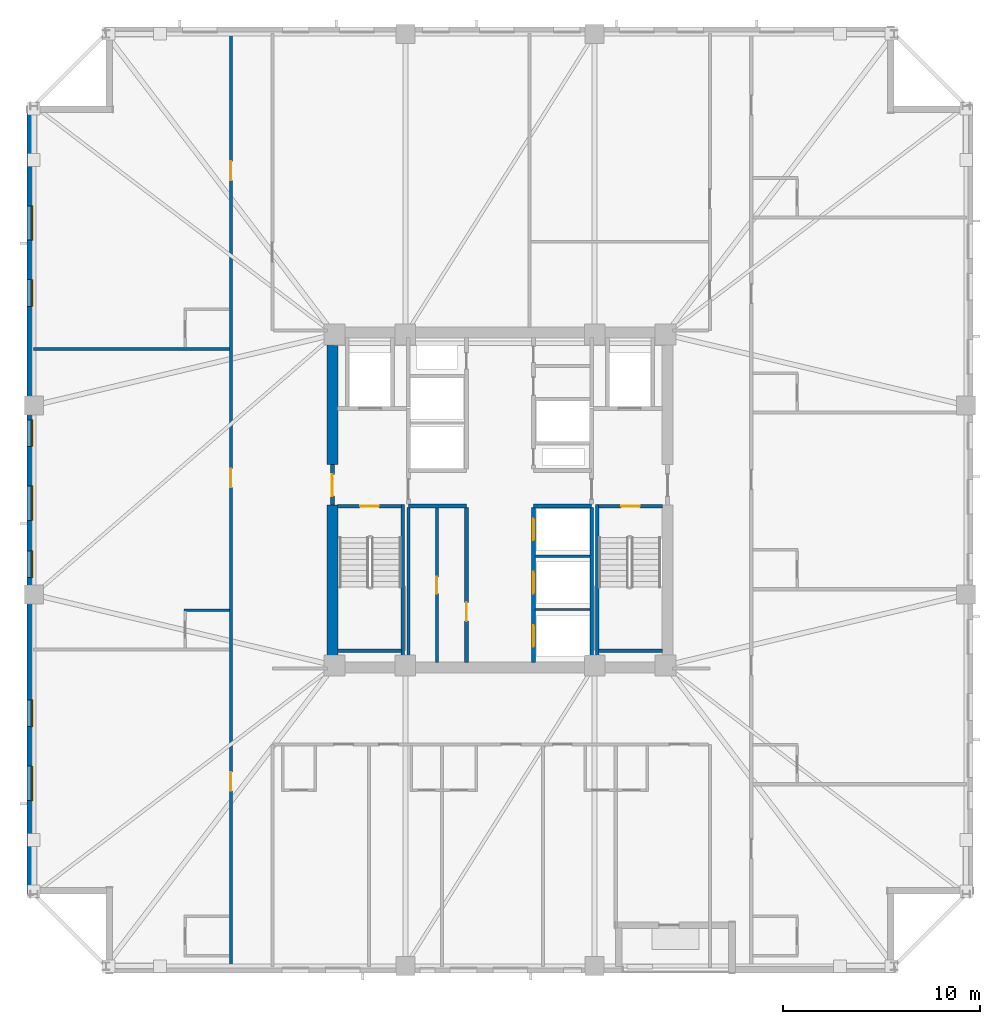
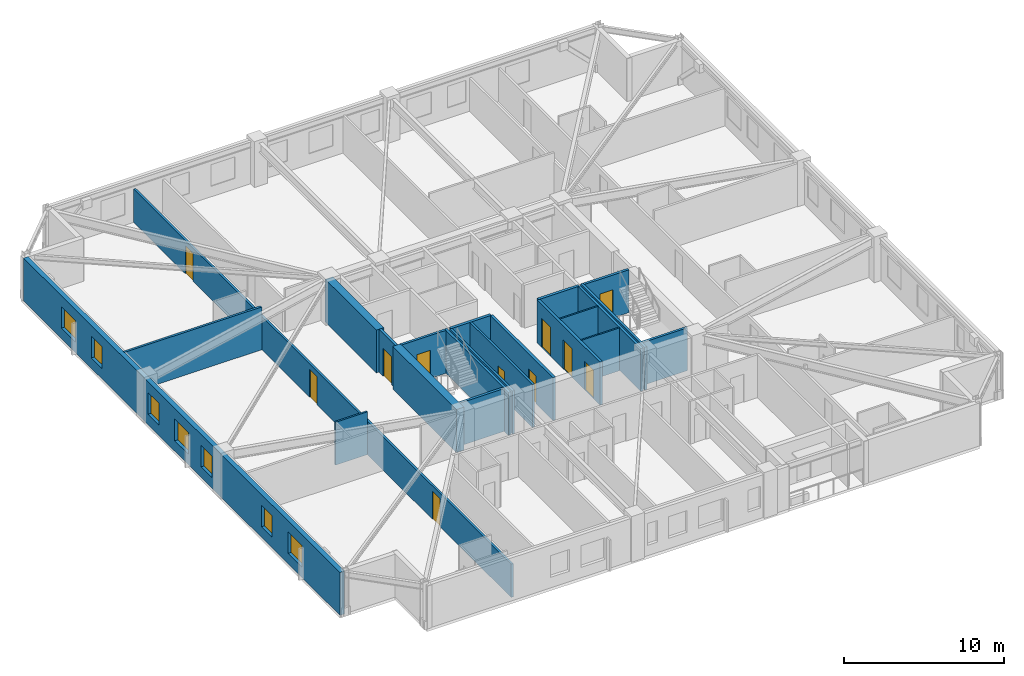
# One storey, part 3 of 11: 22 walls, 11 doors, 7 windows, 18 openings.
"""IFC4 building model written with IfcOpenShell, lengths in metres."""

from ifc_helpers import new_model, si_unit, direction, frame, frame_2d, origin, place, context, subcontext, project, spatial, rectangle, extrude, material, layer, layer_set, type_object, element, fill, save


model = new_model("IFC4")

# Units and contexts
model_context = context("Model", 3, precision=1e-05, world=origin(), true_north=direction((0.0, 1.0)))
body_context = subcontext(model_context, "Body", "Model", "MODEL_VIEW")
ifc_project = project(units=[si_unit("LENGTHUNIT", "METRE"), si_unit("AREAUNIT", "SQUARE_METRE"), si_unit("VOLUMEUNIT", "CUBIC_METRE"), si_unit("PLANEANGLEUNIT", "RADIAN"), si_unit("MASSUNIT", "GRAM", prefix="KILO")], contexts=[model_context])

# Site, building, storey
site_placement = place(None, origin())
site = spatial("IfcSite", under=ifc_project, at=site_placement, CompositionType="ELEMENT")
building_placement = place(site_placement, origin())
building = spatial("IfcBuilding", under=site, at=building_placement, Name="Cairnveth Concourse Tower", CompositionType="ELEMENT")
storey_placement = place(building_placement, frame((0.0, 0.0, 165.5)))
storey = spatial("IfcBuildingStorey", under=building, at=storey_placement, Name="L45", CompositionType="ELEMENT", Elevation=165.5)

# Wall
ifc_material_1 = material(Name="Gypsum Plasterboard Partition", Category="gypsum")
ifc_layer_1 = layer(ifc_material_1, 0.159912109375)
ifc_layer_set_1 = layer_set([ifc_layer_1], Name="Gypsum Plasterboard Partition")
wall_type_1 = type_object("IfcWallType", Name="ACOUSTIC PARTY WALL 180", PredefinedType="PARTITIONING", material=ifc_layer_set_1)
wall_1_placement = place(storey_placement, frame((47.35009765625, 30.760009765625, 0.0), z_axis=(0.0, 0.0, 1.0), x_axis=(0.0, 1.0, 0.0)))
element("IfcWall", 1, at=wall_1_placement, inside=storey, type_object=wall_type_1, Name="Interior Wall IW-L45-025", PredefinedType="PARTITIONING", context=body_context, shape_type="SweptSolid", body=[
    extrude(rectangle(XDim=7.85498046875, YDim=0.159912109375, at=frame_2d((3.927490234375, 0.0))), origin(), (0.0, 0.0, 1.0), 3.280029296875),
])

# Wall, opening, door
wall_2_placement = place(storey_placement, frame((48.800048828125, 30.760009765625, 0.0), z_axis=(0.0, 0.0, 1.0), x_axis=(0.0, 1.0, 0.0)))
wall_2 = element("IfcWall", 2, at=wall_2_placement, inside=storey, type_object=wall_type_1, Name="Interior Wall IW-L45-026", PredefinedType="PARTITIONING", context=body_context, shape_type="SweptSolid", body=[
    extrude(rectangle(XDim=7.85498046875, YDim=0.159912109375, at=frame_2d((3.927490234375, 0.0))), origin(), (0.0, 0.0, 1.0), 3.280029296875),
])
opening_1_placement = place(wall_2_placement, frame((3.489990234375, 0.0, 0.0)))
opening_1 = element("IfcOpeningElement", 3, at=opening_1_placement, cuts=wall_2, Name="Opening ID19", PredefinedType="OPENING", context=body_context, shape_type="SweptSolid", body=[
    extrude(rectangle(XDim=0.85009765625, YDim=2.1201171875, at=frame_2d((0.425048828125, 1.06005859375))), frame((0.0, 0.08984375, 0.0), z_axis=(0.0, -1.0, 0.0), x_axis=(1.0, 0.0, 0.0)), (0.0, 0.0, 1.0), 0.179931640625),
])
ifc_material_2 = material(Name="Steel Grade 350", Category="steel")
door_type_1 = type_object("IfcDoorType", Name="CORE SERVICE DOOR 850X2100", OperationType="NOTDEFINED", PredefinedType="DOOR", material=ifc_material_2)
door_1_placement = place(opening_1_placement, origin())
door_1 = element("IfcDoor", 4, at=door_1_placement, inside=storey, type_object=door_type_1, Name="Inner Store Door L45", OperationType="SINGLE_SWING_RIGHT", OverallHeight=2.1201171875, OverallWidth=0.85009765625, PredefinedType="DOOR", context=body_context, shape_type="SweptSolid", body=[
    extrude(rectangle(XDim=0.85009765625, YDim=2.1201171875, at=frame_2d((0.425048828125, 1.06005859375))), frame((0.0, 0.02490234375, 0.0), z_axis=(0.0, -1.0, 0.0), x_axis=(1.0, 0.0, 0.0)), (0.0, 0.0, 1.0), 0.050048828125),
])
fill(opening_1, door_1)

# Wall, openings, doors
wall_3_placement = place(storey_placement, frame((38.35009765625, 15.324951171875, 0.0), z_axis=(0.0, 0.0, 1.0), x_axis=(0.0, 1.0, 0.0)))
wall_3 = element("IfcWall", 5, at=wall_3_placement, inside=storey, type_object=wall_type_1, Name="Interior Wall IW-L45-037", PredefinedType="PARTITIONING", context=body_context, shape_type="SweptSolid", body=[
    extrude(rectangle(XDim=47.35009765625, YDim=0.159912109375, at=frame_2d((23.675048828125, 0.0))), origin(), (0.0, 0.0, 1.0), 2.554931640625),
])
opening_2_placement = place(wall_3_placement, frame((8.912353515625, 0.0, 0.0)))
opening_2 = element("IfcOpeningElement", 6, at=opening_2_placement, cuts=wall_3, Name="Opening ID09", PredefinedType="OPENING", context=body_context, shape_type="SweptSolid", body=[
    extrude(rectangle(XDim=0.9599609375, YDim=2.14990234375, at=frame_2d((0.47998046875, 1.074951171875))), frame((0.0, 0.08984375, 0.0), z_axis=(0.0, -1.0, 0.0), x_axis=(1.0, 0.0, 0.0)), (0.0, 0.0, 1.0), 0.179931640625),
])
opening_3_placement = place(wall_3_placement, frame((24.312255859375, 0.0, 0.0)))
opening_3 = element("IfcOpeningElement", 7, at=opening_3_placement, cuts=wall_3, Name="Opening ID09", PredefinedType="OPENING", context=body_context, shape_type="SweptSolid", body=[
    extrude(rectangle(XDim=0.9599609375, YDim=2.14990234375, at=frame_2d((0.47998046875, 1.074951171875))), frame((0.0, 0.08984375, 0.0), z_axis=(0.0, -1.0, 0.0), x_axis=(1.0, 0.0, 0.0)), (0.0, 0.0, 1.0), 0.179931640625),
])
opening_4_placement = place(wall_3_placement, frame((39.89501953125, 0.0, 0.0)))
opening_4 = element("IfcOpeningElement", 8, at=opening_4_placement, cuts=wall_3, Name="Opening ID09", PredefinedType="OPENING", context=body_context, shape_type="SweptSolid", body=[
    extrude(rectangle(XDim=0.9599609375, YDim=2.14990234375, at=frame_2d((0.47998046875, 1.074951171875))), frame((0.0, 0.08984375, 0.0), z_axis=(0.0, -1.0, 0.0), x_axis=(1.0, 0.0, 0.0)), (0.0, 0.0, 1.0), 0.179931640625),
])
ifc_material_3 = material(Name="Solid Core Hardwood Timber Leaf", Category="wood")
door_type_2 = type_object("IfcDoorType", Name="HOTEL ENTRANCE DOOR 960X2150", OperationType="NOTDEFINED", PredefinedType="DOOR", material=ifc_material_3)
door_2_placement = place(opening_2_placement, origin())
door_2 = element("IfcDoor", 9, at=door_2_placement, inside=storey, type_object=door_type_2, Name="Hotel Room Door L45-W1", OperationType="SINGLE_SWING_RIGHT", OverallHeight=2.14990234375, OverallWidth=0.9599609375, PredefinedType="DOOR", context=body_context, shape_type="SweptSolid", body=[
    extrude(rectangle(XDim=0.9599609375, YDim=2.14990234375, at=frame_2d((0.47998046875, 1.074951171875))), frame((0.0, 0.02490234375, 0.0), z_axis=(0.0, -1.0, 0.0), x_axis=(1.0, 0.0, 0.0)), (0.0, 0.0, 1.0), 0.050048828125),
])
fill(opening_2, door_2)
door_3_placement = place(opening_3_placement, origin())
door_3 = element("IfcDoor", 10, at=door_3_placement, inside=storey, type_object=door_type_2, Name="Hotel Room Door L45-W2", OperationType="SINGLE_SWING_RIGHT", OverallHeight=2.14990234375, OverallWidth=0.9599609375, PredefinedType="DOOR", context=body_context, shape_type="SweptSolid", body=[
    extrude(rectangle(XDim=0.9599609375, YDim=2.14990234375, at=frame_2d((0.47998046875, 1.074951171875))), frame((0.0, 0.02490234375, 0.0), z_axis=(0.0, -1.0, 0.0), x_axis=(1.0, 0.0, 0.0)), (0.0, 0.0, 1.0), 0.050048828125),
])
fill(opening_3, door_3)
door_4_placement = place(opening_4_placement, origin())
door_4 = element("IfcDoor", 11, at=door_4_placement, inside=storey, type_object=door_type_2, Name="Hotel Room Door L45-W3", OperationType="SINGLE_SWING_RIGHT", OverallHeight=2.14990234375, OverallWidth=0.9599609375, PredefinedType="DOOR", context=body_context, shape_type="SweptSolid", body=[
    extrude(rectangle(XDim=0.9599609375, YDim=2.14990234375, at=frame_2d((0.47998046875, 1.074951171875))), frame((0.0, 0.02490234375, 0.0), z_axis=(0.0, -1.0, 0.0), x_axis=(1.0, 0.0, 0.0)), (0.0, 0.0, 1.0), 0.050048828125),
])
fill(opening_4, door_4)

# Walls
wall_4_placement = place(storey_placement, frame((28.324951171875, 46.669921875, 0.0), z_axis=(0.0, 0.0, 1.0), x_axis=(1.0, 0.0, 0.0)))
element("IfcWall", 12, at=wall_4_placement, inside=storey, type_object=wall_type_1, Name="Interior Wall IW-L45-071", PredefinedType="PARTITIONING", context=body_context, shape_type="SweptSolid", body=[
    extrude(rectangle(XDim=9.945068359375, YDim=0.159912109375, at=frame_2d((4.97265625, 0.0))), origin(), (0.0, 0.0, 1.0), 3.280029296875),
])
ifc_material_4 = material(Name="Concrete N80 (80 MPa)", Category="concrete")
ifc_layer_2 = layer(ifc_material_4, 0.550048828125)
ifc_layer_set_2 = layer_set([ifc_layer_2], Name="Concrete N80 (80 MPa)")
wall_type_2 = type_object("IfcWallType", Name="CORE SHEAR WALL 550", PredefinedType="SHEAR", material=ifc_layer_set_2)
wall_5_placement = place(storey_placement, frame((43.5, 30.764892578125, 0.0), z_axis=(0.0, 0.0, 1.0), x_axis=(0.0, 1.0, 0.0)))
element("IfcWall", 13, at=wall_5_placement, inside=storey, type_object=wall_type_2, Name="Core West Shear Wall S L45", PredefinedType="SHEAR", context=body_context, shape_type="SweptSolid", body=[
    extrude(rectangle(XDim=7.985107421875, YDim=0.550048828125, at=frame_2d((3.99267578125, 0.0))), origin(), (0.0, 0.0, 1.0), 3.280029296875),
])
wall_6_placement = place(storey_placement, frame((43.5, 40.800048828125, 0.0), z_axis=(0.0, 0.0, 1.0), x_axis=(0.0, 1.0, 0.0)))
element("IfcWall", 14, at=wall_6_placement, inside=storey, type_object=wall_type_2, Name="Core West Shear Wall N L45", PredefinedType="SHEAR", context=body_context, shape_type="SweptSolid", body=[
    extrude(rectangle(XDim=6.43505859375, YDim=0.550048828125, at=frame_2d((3.217529296875, 0.0))), origin(), (0.0, 0.0, 1.0), 3.280029296875),
])
ifc_material_5 = material(Name="Concrete N50 (50 MPa)", Category="concrete")
ifc_layer_3 = layer(ifc_material_5, 0.179931640625)
ifc_layer_set_3 = layer_set([ifc_layer_3], Name="Concrete N50 (50 MPa)")
wall_type_3 = type_object("IfcWallType", Name="FIRE SHAFT WALL 180", PredefinedType="SOLIDWALL", material=ifc_layer_set_3)
wall_7_placement = place(storey_placement, frame((56.64990234375, 30.760009765625, 0.0), z_axis=(0.0, 0.0, 1.0), x_axis=(0.0, 1.0, 0.0)))
element("IfcWall", 15, at=wall_7_placement, inside=storey, type_object=wall_type_3, Name="Interior Wall IW-L45-027", PredefinedType="SOLIDWALL", context=body_context, shape_type="SweptSolid", body=[
    extrude(rectangle(XDim=7.85498046875, YDim=0.179931640625, at=frame_2d((3.927490234375, 0.0))), origin(), (0.0, 0.0, 1.0), 3.280029296875),
])

# Wall, opening, door
wall_8_placement = place(storey_placement, frame((43.764892578125, 38.68994140625, 0.0), z_axis=(0.0, 0.0, 1.0), x_axis=(1.0, 0.0, 0.0)))
wall_8 = element("IfcWall", 16, at=wall_8_placement, inside=storey, type_object=wall_type_3, Name="Stair ST-1 Shaft Wall NEAR L45", PredefinedType="SOLIDWALL", context=body_context, shape_type="SweptSolid", body=[
    extrude(rectangle(XDim=3.230224609375, YDim=0.179931640625, at=frame_2d((1.615234375, 0.0))), origin(), (0.0, 0.0, 1.0), 3.280029296875),
])
opening_5_placement = place(wall_8_placement, frame((1.139892578125, 0.0, 0.0)))
opening_5 = element("IfcOpeningElement", 17, at=opening_5_placement, cuts=wall_8, Name="Opening ID12", PredefinedType="OPENING", context=body_context, shape_type="SweptSolid", body=[
    extrude(rectangle(XDim=0.949951171875, YDim=2.14990234375, at=frame_2d((0.47509765625, 1.074951171875))), frame((0.0, 0.099853515625, 0.0), z_axis=(0.0, -1.0, 0.0), x_axis=(1.0, 0.0, 0.0)), (0.0, 0.0, 1.0), 0.199951171875),
])
door_type_3 = type_object("IfcDoorType", Name="FIRE STAIR DOOR 950X2150", OperationType="NOTDEFINED", PredefinedType="DOOR", material=ifc_material_2)
door_5_placement = place(opening_5_placement, origin())
door_5 = element("IfcDoor", 18, at=door_5_placement, inside=storey, type_object=door_type_3, Name="Stair ST-1 Fire Door L45", OperationType="SINGLE_SWING_LEFT", OverallHeight=2.14990234375, OverallWidth=0.949951171875, PredefinedType="DOOR", context=body_context, shape_type="SweptSolid", body=[
    extrude(rectangle(XDim=0.949951171875, YDim=2.14990234375, at=frame_2d((0.47509765625, 1.074951171875))), frame((0.0, 0.02490234375, 0.0), z_axis=(0.0, -1.0, 0.0), x_axis=(1.0, 0.0, 0.0)), (0.0, 0.0, 1.0), 0.050048828125),
])
fill(opening_5, door_5)

# Walls
wall_9_placement = place(storey_placement, frame((43.764892578125, 31.360107421875, 0.0), z_axis=(0.0, 0.0, 1.0), x_axis=(1.0, 0.0, 0.0)))
element("IfcWall", 19, at=wall_9_placement, inside=storey, type_object=wall_type_3, Name="Stair ST-1 Shaft Wall FAR L45", PredefinedType="SOLIDWALL", context=body_context, shape_type="SweptSolid", body=[
    extrude(rectangle(XDim=3.230224609375, YDim=0.179931640625, at=frame_2d((1.615234375, 0.0))), origin(), (0.0, 0.0, 1.0), 3.280029296875),
])
wall_10_placement = place(storey_placement, frame((47.070068359375, 38.780029296875, 0.0), z_axis=(0.0, 0.0, 1.0), x_axis=(0.0, -1.0, 0.0)))
element("IfcWall", 20, at=wall_10_placement, inside=storey, type_object=wall_type_3, Name="Stair ST-1 Shaft Wall RGHT L45", PredefinedType="SOLIDWALL", context=body_context, shape_type="SweptSolid", body=[
    extrude(rectangle(XDim=8.01708984375, YDim=0.179931640625, at=frame_2d((4.008544921875, 0.0))), origin(), (0.0, 0.0, 1.0), 3.280029296875),
])

# Wall, opening, door
wall_11_placement = place(storey_placement, frame((57.0048828125, 38.68994140625, 0.0), z_axis=(0.0, 0.0, 1.0), x_axis=(1.0, 0.0, 0.0)))
wall_11 = element("IfcWall", 21, at=wall_11_placement, inside=storey, type_object=wall_type_3, Name="Stair ST-2 Shaft Wall NEAR L45", PredefinedType="SOLIDWALL", context=body_context, shape_type="SweptSolid", body=[
    extrude(rectangle(XDim=3.230224609375, YDim=0.179931640625, at=frame_2d((1.615234375, 0.0))), origin(), (0.0, 0.0, 1.0), 3.280029296875),
])
opening_6_placement = place(wall_11_placement, frame((1.139892578125, 0.0, 0.0)))
opening_6 = element("IfcOpeningElement", 22, at=opening_6_placement, cuts=wall_11, Name="Opening ID12", PredefinedType="OPENING", context=body_context, shape_type="SweptSolid", body=[
    extrude(rectangle(XDim=0.949951171875, YDim=2.14990234375, at=frame_2d((0.47509765625, 1.074951171875))), frame((0.0, 0.099853515625, 0.0), z_axis=(0.0, -1.0, 0.0), x_axis=(1.0, 0.0, 0.0)), (0.0, 0.0, 1.0), 0.199951171875),
])
door_6_placement = place(opening_6_placement, origin())
door_6 = element("IfcDoor", 23, at=door_6_placement, inside=storey, type_object=door_type_3, Name="Stair ST-2 Fire Door L45", OperationType="SINGLE_SWING_RIGHT", OverallHeight=2.14990234375, OverallWidth=0.949951171875, PredefinedType="DOOR", context=body_context, shape_type="SweptSolid", body=[
    extrude(rectangle(XDim=0.949951171875, YDim=2.14990234375, at=frame_2d((0.47509765625, 1.074951171875))), frame((0.0, 0.02490234375, 0.0), z_axis=(0.0, -1.0, 0.0), x_axis=(1.0, 0.0, 0.0)), (0.0, 0.0, 1.0), 0.050048828125),
])
fill(opening_6, door_6)

# Walls
wall_12_placement = place(storey_placement, frame((57.0048828125, 31.360107421875, 0.0), z_axis=(0.0, 0.0, 1.0), x_axis=(1.0, 0.0, 0.0)))
element("IfcWall", 24, at=wall_12_placement, inside=storey, type_object=wall_type_3, Name="Stair ST-2 Shaft Wall FAR L45", PredefinedType="SOLIDWALL", context=body_context, shape_type="SweptSolid", body=[
    extrude(rectangle(XDim=3.230224609375, YDim=0.179931640625, at=frame_2d((1.615234375, 0.0))), origin(), (0.0, 0.0, 1.0), 3.280029296875),
])
wall_13_placement = place(storey_placement, frame((56.929931640625, 38.780029296875, 0.0), z_axis=(0.0, 0.0, 1.0), x_axis=(0.0, -1.0, 0.0)))
element("IfcWall", 25, at=wall_13_placement, inside=storey, type_object=wall_type_3, Name="Stair ST-2 Shaft Wall LEFT L45", PredefinedType="SOLIDWALL", context=body_context, shape_type="SweptSolid", body=[
    extrude(rectangle(XDim=8.01708984375, YDim=0.179931640625, at=frame_2d((4.008544921875, 0.0))), origin(), (0.0, 0.0, 1.0), 3.280029296875),
])
ifc_layer_4 = layer(ifc_material_5, 0.199951171875)
ifc_layer_set_4 = layer_set([ifc_layer_4], Name="Concrete N50 (50 MPa)")
wall_type_4 = type_object("IfcWallType", Name="FIRE SHAFT WALL 200", PredefinedType="SOLIDWALL", material=ifc_layer_set_4)
for number, where, z_axis, x_axis, name in (
    (26, (47.35009765625, 38.699951171875, 0.0), (0.0, 0.0, 1.0), (1.0, 0.0, 0.0), "Interior Wall IW-L45-007"),
    (27, (53.699951171875, 38.699951171875, 0.0), (0.0, 0.0, 1.0), (1.0, 0.0, 0.0), "Interior Wall IW-L45-009"),
):
    element("IfcWall", number, at=place(storey_placement, frame(where, z_axis=z_axis, x_axis=x_axis)), inside=storey, type_object=wall_type_4, Name=name, PredefinedType="SOLIDWALL", context=body_context, shape_type="SweptSolid", body=[
        extrude(rectangle(XDim=2.949951171875, YDim=0.199951171875, at=frame_2d((1.47509765625, 0.0))), origin(), (0.0, 0.0, 1.0), 3.280029296875),
    ])

# Wall, opening, door
wall_14_placement = place(storey_placement, frame((50.300048828125, 30.760009765625, 0.0), z_axis=(0.0, 0.0, 1.0), x_axis=(0.0, 1.0, 0.0)))
wall_14 = element("IfcWall", 28, at=wall_14_placement, inside=storey, type_object=wall_type_4, Name="Interior Wall IW-L45-011", PredefinedType="SOLIDWALL", context=body_context, shape_type="SweptSolid", body=[
    extrude(rectangle(XDim=7.85498046875, YDim=0.199951171875, at=frame_2d((3.927490234375, 0.0))), origin(), (0.0, 0.0, 1.0), 3.280029296875),
])
opening_7_placement = place(wall_14_placement, frame((2.090087890625, 0.0, 0.0)))
opening_7 = element("IfcOpeningElement", 29, at=opening_7_placement, cuts=wall_14, Name="Opening ID25", PredefinedType="OPENING", context=body_context, shape_type="SweptSolid", body=[
    extrude(rectangle(XDim=0.949951171875, YDim=2.1201171875, at=frame_2d((0.47509765625, 1.06005859375))), frame((0.0, 0.10986328125, 0.0), z_axis=(0.0, -1.0, 0.0), x_axis=(1.0, 0.0, 0.0)), (0.0, 0.0, 1.0), 0.219970703125),
])
door_type_4 = type_object("IfcDoorType", Name="CORE ACCESSIBLE FIRE DOOR 950X2120", OperationType="NOTDEFINED", PredefinedType="DOOR", material=ifc_material_2)
door_7_placement = place(opening_7_placement, origin())
door_7 = element("IfcDoor", 30, at=door_7_placement, inside=storey, type_object=door_type_4, Name="Accessible WC Suite Door L45", OperationType="SINGLE_SWING_LEFT", OverallHeight=2.1201171875, OverallWidth=0.949951171875, PredefinedType="DOOR", context=body_context, shape_type="SweptSolid", body=[
    extrude(rectangle(XDim=0.949951171875, YDim=2.1201171875, at=frame_2d((0.47509765625, 1.06005859375))), frame((0.0, 0.02490234375, 0.0), z_axis=(0.0, -1.0, 0.0), x_axis=(1.0, 0.0, 0.0)), (0.0, 0.0, 1.0), 0.050048828125),
])
fill(opening_7, door_7)

# Wall, openings, doors
wall_15_placement = place(storey_placement, frame((53.699951171875, 30.760009765625, 0.0), z_axis=(0.0, 0.0, 1.0), x_axis=(0.0, 1.0, 0.0)))
wall_15 = element("IfcWall", 31, at=wall_15_placement, inside=storey, type_object=wall_type_4, Name="Interior Wall IW-L45-012", PredefinedType="SOLIDWALL", context=body_context, shape_type="SweptSolid", body=[
    extrude(rectangle(XDim=7.85498046875, YDim=0.199951171875, at=frame_2d((3.927490234375, 0.0))), origin(), (0.0, 0.0, 1.0), 3.280029296875),
])
opening_8_placement = place(wall_15_placement, frame((0.7900390625, 0.0, 0.0)))
opening_8 = element("IfcOpeningElement", 32, at=opening_8_placement, cuts=wall_15, Name="Opening LD-1", PredefinedType="OPENING", context=body_context, shape_type="SweptSolid", body=[
    extrude(rectangle(XDim=1.10009765625, YDim=2.199951171875, at=frame_2d((0.550048828125, 1.10009765625))), frame((0.0, 0.10986328125, 0.0), z_axis=(0.0, -1.0, 0.0), x_axis=(1.0, 0.0, 0.0)), (0.0, 0.0, 1.0), 0.219970703125),
])
opening_9_placement = place(wall_15_placement, frame((3.489990234375, 0.0, 0.0)))
opening_9 = element("IfcOpeningElement", 33, at=opening_9_placement, cuts=wall_15, Name="Opening LD-1", PredefinedType="OPENING", context=body_context, shape_type="SweptSolid", body=[
    extrude(rectangle(XDim=1.10009765625, YDim=2.199951171875, at=frame_2d((0.550048828125, 1.10009765625))), frame((0.0, 0.10986328125, 0.0), z_axis=(0.0, -1.0, 0.0), x_axis=(1.0, 0.0, 0.0)), (0.0, 0.0, 1.0), 0.219970703125),
])
opening_10_placement = place(wall_15_placement, frame((6.18994140625, 0.0, 0.0)))
opening_10 = element("IfcOpeningElement", 34, at=opening_10_placement, cuts=wall_15, Name="Opening LD-1", PredefinedType="OPENING", context=body_context, shape_type="SweptSolid", body=[
    extrude(rectangle(XDim=1.10009765625, YDim=2.199951171875, at=frame_2d((0.550048828125, 1.10009765625))), frame((0.0, 0.10986328125, 0.0), z_axis=(0.0, -1.0, 0.0), x_axis=(1.0, 0.0, 0.0)), (0.0, 0.0, 1.0), 0.219970703125),
])
ifc_material_6 = material(Name="Architectural Bronze Anodised Aluminium 6063-T6", Category="aluminium")
door_type_5 = type_object("IfcDoorType", Name="LIFT LANDING DOOR 1100X2200", OperationType="SLIDING_TO_LEFT", PredefinedType="DOOR", material=ifc_material_6)
door_8_placement = place(opening_8_placement, origin())
door_8 = element("IfcDoor", 35, at=door_8_placement, inside=storey, type_object=door_type_5, Name="Lift PL4 Landing Door L45", OperationType="SLIDING_TO_LEFT", OverallHeight=2.199951171875, OverallWidth=1.10009765625, PredefinedType="DOOR", context=body_context, shape_type="SweptSolid", body=[
    extrude(rectangle(XDim=1.10009765625, YDim=2.199951171875, at=frame_2d((0.550048828125, 1.10009765625))), frame((0.0, 0.02490234375, 0.0), z_axis=(0.0, -1.0, 0.0), x_axis=(1.0, 0.0, 0.0)), (0.0, 0.0, 1.0), 0.050048828125),
])
fill(opening_8, door_8)
door_9_placement = place(opening_9_placement, origin())
door_9 = element("IfcDoor", 36, at=door_9_placement, inside=storey, type_object=door_type_5, Name="Lift PL5 Landing Door L45", OperationType="SLIDING_TO_LEFT", OverallHeight=2.199951171875, OverallWidth=1.10009765625, PredefinedType="DOOR", context=body_context, shape_type="SweptSolid", body=[
    extrude(rectangle(XDim=1.10009765625, YDim=2.199951171875, at=frame_2d((0.550048828125, 1.10009765625))), frame((0.0, 0.02490234375, 0.0), z_axis=(0.0, -1.0, 0.0), x_axis=(1.0, 0.0, 0.0)), (0.0, 0.0, 1.0), 0.050048828125),
])
fill(opening_9, door_9)
door_10_placement = place(opening_10_placement, origin())
door_10 = element("IfcDoor", 37, at=door_10_placement, inside=storey, type_object=door_type_5, Name="Lift PL6 Landing Door L45", OperationType="SLIDING_TO_LEFT", OverallHeight=2.199951171875, OverallWidth=1.10009765625, PredefinedType="DOOR", context=body_context, shape_type="SweptSolid", body=[
    extrude(rectangle(XDim=1.10009765625, YDim=2.199951171875, at=frame_2d((0.550048828125, 1.10009765625))), frame((0.0, 0.02490234375, 0.0), z_axis=(0.0, -1.0, 0.0), x_axis=(1.0, 0.0, 0.0)), (0.0, 0.0, 1.0), 0.050048828125),
])
fill(opening_10, door_10)

# Wall, opening, door
wall_16_placement = place(storey_placement, frame((43.5, 38.75, 0.0), z_axis=(0.0, 0.0, 1.0), x_axis=(0.0, 1.0, 0.0)))
wall_16 = element("IfcWall", 38, at=wall_16_placement, inside=storey, type_object=wall_type_4, Name="Interior Wall IW-L45-015", PredefinedType="SOLIDWALL", context=body_context, shape_type="SweptSolid", body=[
    extrude(rectangle(XDim=2.050048828125, YDim=0.199951171875, at=frame_2d((1.02490234375, 0.0))), origin(), (0.0, 0.0, 1.0), 3.280029296875),
])
opening_11_placement = place(wall_16_placement, frame((0.449951171875, 0.0, 0.0)))
opening_11 = element("IfcOpeningElement", 39, at=opening_11_placement, cuts=wall_16, Name="Opening ID06", PredefinedType="OPENING", context=body_context, shape_type="SweptSolid", body=[
    extrude(rectangle(XDim=1.10009765625, YDim=2.14990234375, at=frame_2d((0.550048828125, 1.074951171875))), frame((0.0, 0.10986328125, 0.0), z_axis=(0.0, -1.0, 0.0), x_axis=(1.0, 0.0, 0.0)), (0.0, 0.0, 1.0), 0.219970703125),
])
door_type_6 = type_object("IfcDoorType", Name="FIRE CORRIDOR DOOR 1100X2150", OperationType="NOTDEFINED", PredefinedType="DOOR", material=ifc_material_2)
door_11_placement = place(opening_11_placement, origin())
door_11 = element("IfcDoor", 40, at=door_11_placement, inside=storey, type_object=door_type_6, Name="West Wing to FF Lobby Door L45", OperationType="SINGLE_SWING_LEFT", OverallHeight=2.14990234375, OverallWidth=1.10009765625, PredefinedType="DOOR", context=body_context, shape_type="SweptSolid", body=[
    extrude(rectangle(XDim=1.10009765625, YDim=2.14990234375, at=frame_2d((0.550048828125, 1.074951171875))), frame((0.0, 0.02490234375, 0.0), z_axis=(0.0, -1.0, 0.0), x_axis=(1.0, 0.0, 0.0)), (0.0, 0.0, 1.0), 0.050048828125),
])
fill(opening_11, door_11)

# Walls
ifc_layer_5 = layer(ifc_material_1, 0.110107421875)
ifc_layer_set_5 = layer_set([ifc_layer_5], Name="Gypsum Plasterboard Partition")
wall_type_5 = type_object("IfcWallType", Name="SHAFT DIVIDER WALL 140", PredefinedType="PARTITIONING", material=ifc_layer_set_5)
for number, where, z_axis, x_axis, name in (
    (41, (53.784912109375, 33.449951171875, 0.0), (0.0, 0.0, 1.0), (1.0, 0.0, 0.0), "Interior Wall IW-L45-028"),
    (42, (53.784912109375, 36.14990234375, 0.0), (0.0, 0.0, 1.0), (1.0, 0.0, 0.0), "Interior Wall IW-L45-029"),
):
    element("IfcWall", number, at=place(storey_placement, frame(where, z_axis=z_axis, x_axis=x_axis)), inside=storey, type_object=wall_type_5, Name=name, PredefinedType="PARTITIONING", context=body_context, shape_type="SweptSolid", body=[
        extrude(rectangle(XDim=2.7900390625, YDim=0.110107421875, at=frame_2d((1.39501953125, 0.0))), origin(), (0.0, 0.0, 1.0), 3.280029296875),
    ])
ifc_layer_6 = layer(ifc_material_1, 0.1298828125)
ifc_layer_set_6 = layer_set([ifc_layer_6], Name="Gypsum Plasterboard Partition")
wall_type_6 = type_object("IfcWallType", Name="WET AREA PARTITION 140", PredefinedType="PLUMBINGWALL", material=ifc_layer_set_6)
wall_17_placement = place(storey_placement, frame((35.969970703125, 33.41455078125, 0.0), z_axis=(0.0, 0.0, 1.0), x_axis=(1.0, 0.0, 0.0)))
element("IfcWall", 43, at=wall_17_placement, inside=storey, type_object=wall_type_6, Name="Interior Wall IW-L45-069", PredefinedType="PLUMBINGWALL", context=body_context, shape_type="SweptSolid", body=[
    extrude(rectangle(XDim=2.31494140625, YDim=0.1298828125, at=frame_2d((1.157470703125, 0.0))), origin(), (0.0, 0.0, 1.0), 3.280029296875),
])

# Wall, openings, windows
ifc_material_7 = material(Name="Hawthorn Red-Ochre Fired Clay Brick Masonry", Category="masonry")
ifc_layer_7 = layer(ifc_material_7, 0.340087890625)
ifc_layer_set_7 = layer_set([ifc_layer_7], Name="Hawthorn Red-Ochre Fired Clay Brick Masonry")
wall_type_7 = type_object("IfcWallType", Name="ZONE 2 BRICK PIER SPANDREL WALL 340", PredefinedType="SOLIDWALL", material=ifc_layer_set_7)
wall_18_placement = place(storey_placement, frame((28.169921875, 19.0, 0.0), z_axis=(0.0, 0.0, 1.0), x_axis=(0.0, 1.0, 0.0)))
wall_18 = element("IfcWall", 44, at=wall_18_placement, inside=storey, type_object=wall_type_7, Name="Exterior Wall EW-L45-S03", PredefinedType="SOLIDWALL", context=body_context, shape_type="SweptSolid", body=[
    extrude(rectangle(XDim=39.681884765625, YDim=0.340087890625, at=frame_2d((19.8408203125, 0.0))), origin(), (0.0, 0.0, 1.0), 3.280029296875),
])
opening_12_placement = place(wall_18_placement, frame((4.751708984375, 0.0, 0.800048828125)))
opening_12 = element("IfcOpeningElement", 45, at=opening_12_placement, cuts=wall_18, Name="Opening W06", PredefinedType="OPENING", context=body_context, shape_type="SweptSolid", body=[
    extrude(rectangle(XDim=1.75, YDim=1.659912109375, at=frame_2d((0.875, 0.830078125))), frame((0.0, 0.179931640625, 0.0), z_axis=(0.0, -1.0, 0.0), x_axis=(1.0, 0.0, 0.0)), (0.0, 0.0, 1.0), 0.360107421875),
])
opening_13_placement = place(wall_18_placement, frame((8.50537109375, 0.0, 0.800048828125)))
opening_13 = element("IfcOpeningElement", 46, at=opening_13_placement, cuts=wall_18, Name="Opening W02", PredefinedType="OPENING", context=body_context, shape_type="SweptSolid", body=[
    extrude(rectangle(XDim=1.35009765625, YDim=1.659912109375, at=frame_2d((0.675048828125, 0.830078125))), frame((0.0, 0.179931640625, 0.0), z_axis=(0.0, -1.0, 0.0), x_axis=(1.0, 0.0, 0.0)), (0.0, 0.0, 1.0), 0.360107421875),
])
opening_14_placement = place(wall_18_placement, frame((16.0625, 0.0, 0.800048828125)))
opening_14 = element("IfcOpeningElement", 47, at=opening_14_placement, cuts=wall_18, Name="Opening W02", PredefinedType="OPENING", context=body_context, shape_type="SweptSolid", body=[
    extrude(rectangle(XDim=1.35009765625, YDim=1.659912109375, at=frame_2d((0.675048828125, 0.830078125))), frame((0.0, 0.179931640625, 0.0), z_axis=(0.0, -1.0, 0.0), x_axis=(1.0, 0.0, 0.0)), (0.0, 0.0, 1.0), 0.360107421875),
])
opening_15_placement = place(wall_18_placement, frame((18.966064453125, 0.0, 0.800048828125)))
opening_15 = element("IfcOpeningElement", 48, at=opening_15_placement, cuts=wall_18, Name="Opening W06", PredefinedType="OPENING", context=body_context, shape_type="SweptSolid", body=[
    extrude(rectangle(XDim=1.75, YDim=1.659912109375, at=frame_2d((0.875, 0.830078125))), frame((0.0, 0.179931640625, 0.0), z_axis=(0.0, -1.0, 0.0), x_axis=(1.0, 0.0, 0.0)), (0.0, 0.0, 1.0), 0.360107421875),
])
opening_16_placement = place(wall_18_placement, frame((22.719482421875, 0.0, 0.800048828125)))
opening_16 = element("IfcOpeningElement", 49, at=opening_16_placement, cuts=wall_18, Name="Opening W02", PredefinedType="OPENING", context=body_context, shape_type="SweptSolid", body=[
    extrude(rectangle(XDim=1.35009765625, YDim=1.659912109375, at=frame_2d((0.675048828125, 0.830078125))), frame((0.0, 0.179931640625, 0.0), z_axis=(0.0, -1.0, 0.0), x_axis=(1.0, 0.0, 0.0)), (0.0, 0.0, 1.0), 0.360107421875),
])
opening_17_placement = place(wall_18_placement, frame((29.82666015625, 0.0, 0.800048828125)))
opening_17 = element("IfcOpeningElement", 50, at=opening_17_placement, cuts=wall_18, Name="Opening W02", PredefinedType="OPENING", context=body_context, shape_type="SweptSolid", body=[
    extrude(rectangle(XDim=1.35009765625, YDim=1.659912109375, at=frame_2d((0.675048828125, 0.830078125))), frame((0.0, 0.179931640625, 0.0), z_axis=(0.0, -1.0, 0.0), x_axis=(1.0, 0.0, 0.0)), (0.0, 0.0, 1.0), 0.360107421875),
])
opening_18_placement = place(wall_18_placement, frame((33.18017578125, 0.0, 0.800048828125)))
opening_18 = element("IfcOpeningElement", 51, at=opening_18_placement, cuts=wall_18, Name="Opening W06", PredefinedType="OPENING", context=body_context, shape_type="SweptSolid", body=[
    extrude(rectangle(XDim=1.75, YDim=1.659912109375, at=frame_2d((0.875, 0.830078125))), frame((0.0, 0.179931640625, 0.0), z_axis=(0.0, -1.0, 0.0), x_axis=(1.0, 0.0, 0.0)), (0.0, 0.0, 1.0), 0.360107421875),
])
ifc_material_8 = material(Name="Double Glazed Low-E Clear Glass", Category="glass")
window_type_1 = type_object("IfcWindowType", Name="DEEP-SET GOTHIC LANCET WINDOW 1350X1800", PartitioningType="DOUBLE_PANEL_VERTICAL", PredefinedType="WINDOW", material=ifc_material_8)
window_1_placement = place(opening_13_placement, origin())
window_1 = element("IfcWindow", 52, at=window_1_placement, inside=storey, type_object=window_type_1, Name="Gothic Lancet Window L45-3-2", OverallHeight=1.659912109375, OverallWidth=1.35009765625, PartitioningType="SINGLE_PANEL", PredefinedType="WINDOW", context=body_context, shape_type="SweptSolid", body=[
    extrude(rectangle(XDim=1.35009765625, YDim=1.659912109375, at=frame_2d((0.675048828125, 0.830078125))), frame((0.0, -0.050048828125, 0.0), z_axis=(0.0, -1.0, 0.0), x_axis=(1.0, 0.0, 0.0)), (0.0, 0.0, 1.0), 0.06005859375),
])
fill(opening_13, window_1)
window_2_placement = place(opening_14_placement, origin())
window_2 = element("IfcWindow", 53, at=window_2_placement, inside=storey, type_object=window_type_1, Name="Gothic Lancet Window L45-3-4", OverallHeight=1.659912109375, OverallWidth=1.35009765625, PartitioningType="SINGLE_PANEL", PredefinedType="WINDOW", context=body_context, shape_type="SweptSolid", body=[
    extrude(rectangle(XDim=1.35009765625, YDim=1.659912109375, at=frame_2d((0.675048828125, 0.830078125))), frame((0.0, -0.050048828125, 0.0), z_axis=(0.0, -1.0, 0.0), x_axis=(1.0, 0.0, 0.0)), (0.0, 0.0, 1.0), 0.06005859375),
])
fill(opening_14, window_2)
window_3_placement = place(opening_16_placement, origin())
window_3 = element("IfcWindow", 54, at=window_3_placement, inside=storey, type_object=window_type_1, Name="Gothic Lancet Window L45-3-6", OverallHeight=1.659912109375, OverallWidth=1.35009765625, PartitioningType="SINGLE_PANEL", PredefinedType="WINDOW", context=body_context, shape_type="SweptSolid", body=[
    extrude(rectangle(XDim=1.35009765625, YDim=1.659912109375, at=frame_2d((0.675048828125, 0.830078125))), frame((0.0, -0.050048828125, 0.0), z_axis=(0.0, -1.0, 0.0), x_axis=(1.0, 0.0, 0.0)), (0.0, 0.0, 1.0), 0.06005859375),
])
fill(opening_16, window_3)
window_4_placement = place(opening_17_placement, origin())
window_4 = element("IfcWindow", 55, at=window_4_placement, inside=storey, type_object=window_type_1, Name="Gothic Lancet Window L45-3-8", OverallHeight=1.659912109375, OverallWidth=1.35009765625, PartitioningType="SINGLE_PANEL", PredefinedType="WINDOW", context=body_context, shape_type="SweptSolid", body=[
    extrude(rectangle(XDim=1.35009765625, YDim=1.659912109375, at=frame_2d((0.675048828125, 0.830078125))), frame((0.0, -0.050048828125, 0.0), z_axis=(0.0, -1.0, 0.0), x_axis=(1.0, 0.0, 0.0)), (0.0, 0.0, 1.0), 0.06005859375),
])
fill(opening_17, window_4)
window_type_2 = type_object("IfcWindowType", Name="DEEP-SET HOTEL SUITE WINDOW 1750X1800", PartitioningType="DOUBLE_PANEL_VERTICAL", PredefinedType="WINDOW", material=ifc_material_8)
window_5_placement = place(opening_12_placement, origin())
window_5 = element("IfcWindow", 56, at=window_5_placement, inside=storey, type_object=window_type_2, Name="Gothic Lancet Window L45-3-1", OverallHeight=1.659912109375, OverallWidth=1.75, PartitioningType="SINGLE_PANEL", PredefinedType="WINDOW", context=body_context, shape_type="SweptSolid", body=[
    extrude(rectangle(XDim=1.75, YDim=1.659912109375, at=frame_2d((0.875, 0.830078125))), frame((0.0, -0.050048828125, 0.0), z_axis=(0.0, -1.0, 0.0), x_axis=(1.0, 0.0, 0.0)), (0.0, 0.0, 1.0), 0.06005859375),
])
fill(opening_12, window_5)
window_6_placement = place(opening_15_placement, origin())
window_6 = element("IfcWindow", 57, at=window_6_placement, inside=storey, type_object=window_type_2, Name="Gothic Lancet Window L45-3-5", OverallHeight=1.659912109375, OverallWidth=1.75, PartitioningType="SINGLE_PANEL", PredefinedType="WINDOW", context=body_context, shape_type="SweptSolid", body=[
    extrude(rectangle(XDim=1.75, YDim=1.659912109375, at=frame_2d((0.875, 0.830078125))), frame((0.0, -0.050048828125, 0.0), z_axis=(0.0, -1.0, 0.0), x_axis=(1.0, 0.0, 0.0)), (0.0, 0.0, 1.0), 0.06005859375),
])
fill(opening_15, window_6)
window_7_placement = place(opening_18_placement, origin())
window_7 = element("IfcWindow", 58, at=window_7_placement, inside=storey, type_object=window_type_2, Name="Gothic Lancet Window L45-3-9", OverallHeight=1.659912109375, OverallWidth=1.75, PartitioningType="SINGLE_PANEL", PredefinedType="WINDOW", context=body_context, shape_type="SweptSolid", body=[
    extrude(rectangle(XDim=1.75, YDim=1.659912109375, at=frame_2d((0.875, 0.830078125))), frame((0.0, -0.050048828125, 0.0), z_axis=(0.0, -1.0, 0.0), x_axis=(1.0, 0.0, 0.0)), (0.0, 0.0, 1.0), 0.06005859375),
])
fill(opening_18, window_7)

save(model, "model.ifc")
